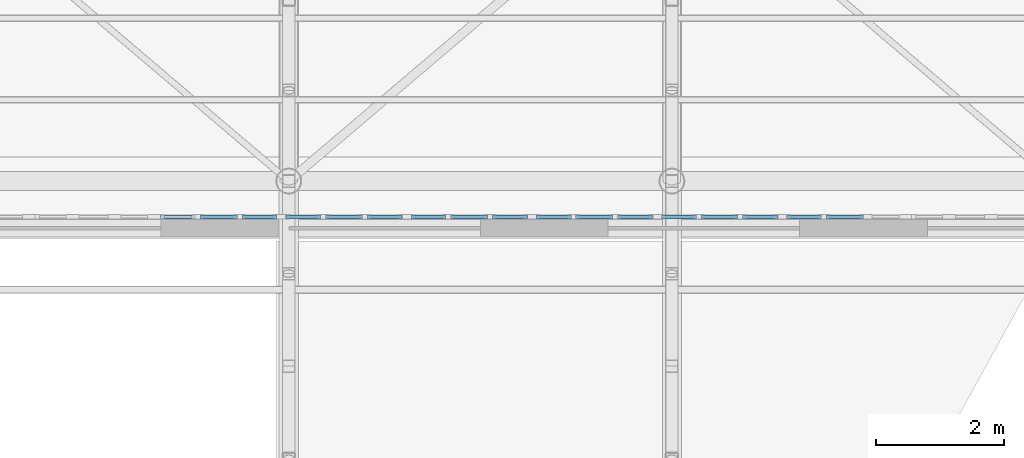
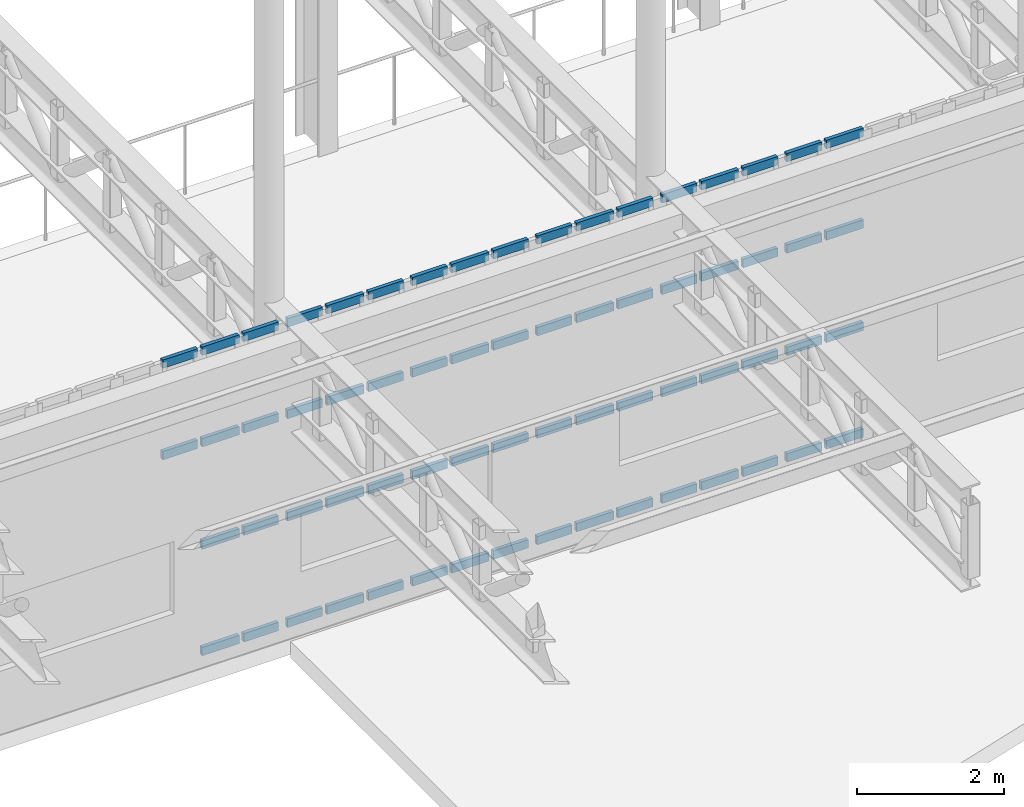
# One storey, part 46 of 75: 66 members, 6 elements without a shape of their own.
"""IFC4 building model written with IfcOpenShell, lengths in metres."""

from ifc_helpers import new_model, si_unit, direction, frame, origin, origin_2d, place, context, subcontext, project, spatial, rectangle, extrude, material, material_profile, profile_set, type_object, element, aggregate, save


model = new_model("IFC4")

# Units and contexts
model_context = context("Model", 3, precision=1e-05, world=origin(), true_north=direction((0.0, 1.0)))
body_context = subcontext(model_context, "Body", "Model", "MODEL_VIEW")
ifc_project = project(units=[si_unit("LENGTHUNIT", "METRE"), si_unit("AREAUNIT", "SQUARE_METRE"), si_unit("VOLUMEUNIT", "CUBIC_METRE"), si_unit("PLANEANGLEUNIT", "RADIAN"), si_unit("MASSUNIT", "GRAM", prefix="KILO")], contexts=[model_context])

# Site, building, storey
site_placement = place(None, origin())
site = spatial("IfcSite", under=ifc_project, at=site_placement, CompositionType="ELEMENT")
building_placement = place(site_placement, origin())
building = spatial("IfcBuilding", under=site, at=building_placement, Name="Kolvaren Corner Interchange", CompositionType="ELEMENT")
storey_placement = place(building_placement, frame((0.0, 0.0, 10.5)))
storey = spatial("IfcBuildingStorey", under=building, at=storey_placement, Name="L03", CompositionType="ELEMENT", Elevation=10.5)

# Curtain wall, members
ifc_material_1 = material(Name="Unitised Aluminium and Solar-Control Glass Curtain Wall", Category="aluminium")
curtain_wall_type = type_object("IfcCurtainWallType", Name="CW-V1-UPPER", PredefinedType="NOTDEFINED", material=ifc_material_1)
curtain_wall_1_placement = place(storey_placement, origin())
curtain_wall_1 = element("IfcCurtainWall", 1, at=curtain_wall_1_placement, inside=storey, type_object=curtain_wall_type, Name="South Portal Upper Curtain Wall Bay 12", PredefinedType="NOTDEFINED")
ifc_material_2 = material(Name="Anodised Aluminium Framing", Category="aluminium")
ifc_material_profile = material_profile(ifc_material_2, rectangle(XDim=0.06005859375, YDim=0.139892578125, at=origin_2d()), Name="ALU 60x140")
ifc_profile_set = profile_set([ifc_material_profile], Name="Anodised Aluminium Framing")
member_type = type_object("IfcMemberType", Name="TRN-ALU60x140", PredefinedType="USERDEFINED", material=ifc_profile_set)
member_1_placement = place(storey_placement, frame((93.9921875, 24.340087890625, 3.5), z_axis=(1.0, 0.0, 0.0), x_axis=(0.0, 1.0, 0.0)))
member_1 = element("IfcMember", 2, at=member_1_placement, type_object=member_type, Name="CW-048 transom 1.3", ObjectType="TRANSOM", PredefinedType="USERDEFINED", context=body_context, shape_type="SweptSolid", body=[
    extrude(rectangle(XDim=0.06005859375, YDim=0.139892578125, at=origin_2d()), origin(), (0.0, 0.0, 1.0), 0.548828125),
])
member_2_placement = place(storey_placement, frame((93.9921875, 24.340087890625, 5.02001953125), z_axis=(1.0, 0.0, 0.0), x_axis=(0.0, 1.0, 0.0)))
member_2 = element("IfcMember", 3, at=member_2_placement, type_object=member_type, Name="CW-048 transom 1.4", ObjectType="TRANSOM", PredefinedType="USERDEFINED", context=body_context, shape_type="SweptSolid", body=[
    extrude(rectangle(XDim=0.06005859375, YDim=0.139892578125, at=origin_2d()), origin(), (0.0, 0.0, 1.0), 0.548828125),
])
member_3_placement = place(storey_placement, frame((94.61083984375, 24.340087890625, 0.030029296875), z_axis=(1.0, 0.0, 0.0), x_axis=(0.0, 1.0, 0.0)))
member_3 = element("IfcMember", 4, at=member_3_placement, type_object=member_type, Name="CW-048 transom 2.1", ObjectType="TRANSOM", PredefinedType="USERDEFINED", context=body_context, shape_type="SweptSolid", body=[
    extrude(rectangle(XDim=0.06005859375, YDim=0.139892578125, at=origin_2d()), origin(), (0.0, 0.0, 1.0), 0.583740234375),
])
member_4_placement = place(storey_placement, frame((94.61083984375, 24.340087890625, 1.800048828125), z_axis=(1.0, 0.0, 0.0), x_axis=(0.0, 1.0, 0.0)))
member_4 = element("IfcMember", 5, at=member_4_placement, type_object=member_type, Name="CW-048 transom 2.2", ObjectType="TRANSOM", PredefinedType="USERDEFINED", context=body_context, shape_type="SweptSolid", body=[
    extrude(rectangle(XDim=0.06005859375, YDim=0.139892578125, at=origin_2d()), origin(), (0.0, 0.0, 1.0), 0.583740234375),
])
member_5_placement = place(storey_placement, frame((94.61083984375, 24.340087890625, 3.5), z_axis=(1.0, 0.0, 0.0), x_axis=(0.0, 1.0, 0.0)))
member_5 = element("IfcMember", 6, at=member_5_placement, type_object=member_type, Name="CW-048 transom 2.3", ObjectType="TRANSOM", PredefinedType="USERDEFINED", context=body_context, shape_type="SweptSolid", body=[
    extrude(rectangle(XDim=0.06005859375, YDim=0.139892578125, at=origin_2d()), origin(), (0.0, 0.0, 1.0), 0.583740234375),
])
member_6_placement = place(storey_placement, frame((94.61083984375, 24.340087890625, 5.02001953125), z_axis=(1.0, 0.0, 0.0), x_axis=(0.0, 1.0, 0.0)))
member_6 = element("IfcMember", 7, at=member_6_placement, type_object=member_type, Name="CW-048 transom 2.4", ObjectType="TRANSOM", PredefinedType="USERDEFINED", context=body_context, shape_type="SweptSolid", body=[
    extrude(rectangle(XDim=0.06005859375, YDim=0.139892578125, at=origin_2d()), origin(), (0.0, 0.0, 1.0), 0.583740234375),
])
member_7_placement = place(storey_placement, frame((95.2646484375, 24.340087890625, 0.030029296875), z_axis=(1.0, 0.0, 0.0), x_axis=(0.0, 1.0, 0.0)))
member_7 = element("IfcMember", 8, at=member_7_placement, type_object=member_type, Name="CW-048 transom 3.1", ObjectType="TRANSOM", PredefinedType="USERDEFINED", context=body_context, shape_type="SweptSolid", body=[
    extrude(rectangle(XDim=0.06005859375, YDim=0.139892578125, at=origin_2d()), origin(), (0.0, 0.0, 1.0), 0.548583984375),
])
member_8_placement = place(storey_placement, frame((95.2646484375, 24.340087890625, 1.800048828125), z_axis=(1.0, 0.0, 0.0), x_axis=(0.0, 1.0, 0.0)))
member_8 = element("IfcMember", 9, at=member_8_placement, type_object=member_type, Name="CW-048 transom 3.2", ObjectType="TRANSOM", PredefinedType="USERDEFINED", context=body_context, shape_type="SweptSolid", body=[
    extrude(rectangle(XDim=0.06005859375, YDim=0.139892578125, at=origin_2d()), origin(), (0.0, 0.0, 1.0), 0.548583984375),
])
member_9_placement = place(storey_placement, frame((95.2646484375, 24.340087890625, 3.5), z_axis=(1.0, 0.0, 0.0), x_axis=(0.0, 1.0, 0.0)))
member_9 = element("IfcMember", 10, at=member_9_placement, type_object=member_type, Name="CW-048 transom 3.3", ObjectType="TRANSOM", PredefinedType="USERDEFINED", context=body_context, shape_type="SweptSolid", body=[
    extrude(rectangle(XDim=0.06005859375, YDim=0.139892578125, at=origin_2d()), origin(), (0.0, 0.0, 1.0), 0.548583984375),
])
member_10_placement = place(storey_placement, frame((95.2646484375, 24.340087890625, 5.02001953125), z_axis=(1.0, 0.0, 0.0), x_axis=(0.0, 1.0, 0.0)))
member_10 = element("IfcMember", 11, at=member_10_placement, type_object=member_type, Name="CW-048 transom 3.4", ObjectType="TRANSOM", PredefinedType="USERDEFINED", context=body_context, shape_type="SweptSolid", body=[
    extrude(rectangle(XDim=0.06005859375, YDim=0.139892578125, at=origin_2d()), origin(), (0.0, 0.0, 1.0), 0.548583984375),
])
aggregate(curtain_wall_1, [member_1, member_2, member_3, member_4, member_5, member_6, member_7, member_8, member_9, member_10])

curtain_wall_2_placement = place(storey_placement, origin())
curtain_wall_2 = element("IfcCurtainWall", 12, at=curtain_wall_2_placement, inside=storey, type_object=curtain_wall_type, Name="South Portal Upper Curtain Wall Bay 13", PredefinedType="NOTDEFINED")
member_11_placement = place(storey_placement, frame((95.953369140625, 24.340087890625, 0.030029296875), z_axis=(1.0, 0.0, 0.0), x_axis=(0.0, 1.0, 0.0)))
member_11 = element("IfcMember", 13, at=member_11_placement, type_object=member_type, Name="CW-049 transom 1.1", ObjectType="TRANSOM", PredefinedType="USERDEFINED", context=body_context, shape_type="SweptSolid", body=[
    extrude(rectangle(XDim=0.06005859375, YDim=0.139892578125, at=origin_2d()), origin(), (0.0, 0.0, 1.0), 0.548583984375),
])
member_12_placement = place(storey_placement, frame((95.953369140625, 24.340087890625, 1.800048828125), z_axis=(1.0, 0.0, 0.0), x_axis=(0.0, 1.0, 0.0)))
member_12 = element("IfcMember", 14, at=member_12_placement, type_object=member_type, Name="CW-049 transom 1.2", ObjectType="TRANSOM", PredefinedType="USERDEFINED", context=body_context, shape_type="SweptSolid", body=[
    extrude(rectangle(XDim=0.06005859375, YDim=0.139892578125, at=origin_2d()), origin(), (0.0, 0.0, 1.0), 0.548583984375),
])
member_13_placement = place(storey_placement, frame((95.953369140625, 24.340087890625, 3.5), z_axis=(1.0, 0.0, 0.0), x_axis=(0.0, 1.0, 0.0)))
member_13 = element("IfcMember", 15, at=member_13_placement, type_object=member_type, Name="CW-049 transom 1.3", ObjectType="TRANSOM", PredefinedType="USERDEFINED", context=body_context, shape_type="SweptSolid", body=[
    extrude(rectangle(XDim=0.06005859375, YDim=0.139892578125, at=origin_2d()), origin(), (0.0, 0.0, 1.0), 0.548583984375),
])
member_14_placement = place(storey_placement, frame((95.953369140625, 24.340087890625, 5.02001953125), z_axis=(1.0, 0.0, 0.0), x_axis=(0.0, 1.0, 0.0)))
member_14 = element("IfcMember", 16, at=member_14_placement, type_object=member_type, Name="CW-049 transom 1.4", ObjectType="TRANSOM", PredefinedType="USERDEFINED", context=body_context, shape_type="SweptSolid", body=[
    extrude(rectangle(XDim=0.06005859375, YDim=0.139892578125, at=origin_2d()), origin(), (0.0, 0.0, 1.0), 0.548583984375),
])
member_15_placement = place(storey_placement, frame((96.572021484375, 24.340087890625, 0.030029296875), z_axis=(1.0, 0.0, 0.0), x_axis=(0.0, 1.0, 0.0)))
member_15 = element("IfcMember", 17, at=member_15_placement, type_object=member_type, Name="CW-049 transom 2.1", ObjectType="TRANSOM", PredefinedType="USERDEFINED", context=body_context, shape_type="SweptSolid", body=[
    extrude(rectangle(XDim=0.06005859375, YDim=0.139892578125, at=origin_2d()), origin(), (0.0, 0.0, 1.0), 0.583740234375),
])
member_16_placement = place(storey_placement, frame((96.572021484375, 24.340087890625, 1.800048828125), z_axis=(1.0, 0.0, 0.0), x_axis=(0.0, 1.0, 0.0)))
member_16 = element("IfcMember", 18, at=member_16_placement, type_object=member_type, Name="CW-049 transom 2.2", ObjectType="TRANSOM", PredefinedType="USERDEFINED", context=body_context, shape_type="SweptSolid", body=[
    extrude(rectangle(XDim=0.06005859375, YDim=0.139892578125, at=origin_2d()), origin(), (0.0, 0.0, 1.0), 0.583740234375),
])
member_17_placement = place(storey_placement, frame((96.572021484375, 24.340087890625, 3.5), z_axis=(1.0, 0.0, 0.0), x_axis=(0.0, 1.0, 0.0)))
member_17 = element("IfcMember", 19, at=member_17_placement, type_object=member_type, Name="CW-049 transom 2.3", ObjectType="TRANSOM", PredefinedType="USERDEFINED", context=body_context, shape_type="SweptSolid", body=[
    extrude(rectangle(XDim=0.06005859375, YDim=0.139892578125, at=origin_2d()), origin(), (0.0, 0.0, 1.0), 0.583740234375),
])
member_18_placement = place(storey_placement, frame((96.572021484375, 24.340087890625, 5.02001953125), z_axis=(1.0, 0.0, 0.0), x_axis=(0.0, 1.0, 0.0)))
member_18 = element("IfcMember", 20, at=member_18_placement, type_object=member_type, Name="CW-049 transom 2.4", ObjectType="TRANSOM", PredefinedType="USERDEFINED", context=body_context, shape_type="SweptSolid", body=[
    extrude(rectangle(XDim=0.06005859375, YDim=0.139892578125, at=origin_2d()), origin(), (0.0, 0.0, 1.0), 0.583740234375),
])
member_19_placement = place(storey_placement, frame((97.2255859375, 24.340087890625, 0.030029296875), z_axis=(1.0, 0.0, 0.0), x_axis=(0.0, 1.0, 0.0)))
member_19 = element("IfcMember", 21, at=member_19_placement, type_object=member_type, Name="CW-049 transom 3.1", ObjectType="TRANSOM", PredefinedType="USERDEFINED", context=body_context, shape_type="SweptSolid", body=[
    extrude(rectangle(XDim=0.06005859375, YDim=0.139892578125, at=origin_2d()), origin(), (0.0, 0.0, 1.0), 0.548828125),
])
member_20_placement = place(storey_placement, frame((97.2255859375, 24.340087890625, 1.800048828125), z_axis=(1.0, 0.0, 0.0), x_axis=(0.0, 1.0, 0.0)))
member_20 = element("IfcMember", 22, at=member_20_placement, type_object=member_type, Name="CW-049 transom 3.2", ObjectType="TRANSOM", PredefinedType="USERDEFINED", context=body_context, shape_type="SweptSolid", body=[
    extrude(rectangle(XDim=0.06005859375, YDim=0.139892578125, at=origin_2d()), origin(), (0.0, 0.0, 1.0), 0.548828125),
])
member_21_placement = place(storey_placement, frame((97.2255859375, 24.340087890625, 3.5), z_axis=(1.0, 0.0, 0.0), x_axis=(0.0, 1.0, 0.0)))
member_21 = element("IfcMember", 23, at=member_21_placement, type_object=member_type, Name="CW-049 transom 3.3", ObjectType="TRANSOM", PredefinedType="USERDEFINED", context=body_context, shape_type="SweptSolid", body=[
    extrude(rectangle(XDim=0.06005859375, YDim=0.139892578125, at=origin_2d()), origin(), (0.0, 0.0, 1.0), 0.548828125),
])
member_22_placement = place(storey_placement, frame((97.2255859375, 24.340087890625, 5.02001953125), z_axis=(1.0, 0.0, 0.0), x_axis=(0.0, 1.0, 0.0)))
member_22 = element("IfcMember", 24, at=member_22_placement, type_object=member_type, Name="CW-049 transom 3.4", ObjectType="TRANSOM", PredefinedType="USERDEFINED", context=body_context, shape_type="SweptSolid", body=[
    extrude(rectangle(XDim=0.06005859375, YDim=0.139892578125, at=origin_2d()), origin(), (0.0, 0.0, 1.0), 0.548828125),
])
aggregate(curtain_wall_2, [member_11, member_12, member_13, member_14, member_15, member_16, member_17, member_18, member_19, member_20, member_21, member_22])

curtain_wall_3_placement = place(storey_placement, origin())
curtain_wall_3 = element("IfcCurtainWall", 25, at=curtain_wall_3_placement, inside=storey, type_object=curtain_wall_type, Name="South Portal Upper Curtain Wall Bay 14", PredefinedType="NOTDEFINED")
member_23_placement = place(storey_placement, frame((97.914306640625, 24.340087890625, 0.030029296875), z_axis=(1.0, 0.0, 0.0), x_axis=(0.0, 1.0, 0.0)))
member_23 = element("IfcMember", 26, at=member_23_placement, type_object=member_type, Name="CW-050 transom 1.1", ObjectType="TRANSOM", PredefinedType="USERDEFINED", context=body_context, shape_type="SweptSolid", body=[
    extrude(rectangle(XDim=0.06005859375, YDim=0.139892578125, at=origin_2d()), origin(), (0.0, 0.0, 1.0), 0.548828125),
])
member_24_placement = place(storey_placement, frame((97.914306640625, 24.340087890625, 1.800048828125), z_axis=(1.0, 0.0, 0.0), x_axis=(0.0, 1.0, 0.0)))
member_24 = element("IfcMember", 27, at=member_24_placement, type_object=member_type, Name="CW-050 transom 1.2", ObjectType="TRANSOM", PredefinedType="USERDEFINED", context=body_context, shape_type="SweptSolid", body=[
    extrude(rectangle(XDim=0.06005859375, YDim=0.139892578125, at=origin_2d()), origin(), (0.0, 0.0, 1.0), 0.548828125),
])
member_25_placement = place(storey_placement, frame((97.914306640625, 24.340087890625, 3.5), z_axis=(1.0, 0.0, 0.0), x_axis=(0.0, 1.0, 0.0)))
member_25 = element("IfcMember", 28, at=member_25_placement, type_object=member_type, Name="CW-050 transom 1.3", ObjectType="TRANSOM", PredefinedType="USERDEFINED", context=body_context, shape_type="SweptSolid", body=[
    extrude(rectangle(XDim=0.06005859375, YDim=0.139892578125, at=origin_2d()), origin(), (0.0, 0.0, 1.0), 0.548828125),
])
member_26_placement = place(storey_placement, frame((97.914306640625, 24.340087890625, 5.02001953125), z_axis=(1.0, 0.0, 0.0), x_axis=(0.0, 1.0, 0.0)))
member_26 = element("IfcMember", 29, at=member_26_placement, type_object=member_type, Name="CW-050 transom 1.4", ObjectType="TRANSOM", PredefinedType="USERDEFINED", context=body_context, shape_type="SweptSolid", body=[
    extrude(rectangle(XDim=0.06005859375, YDim=0.139892578125, at=origin_2d()), origin(), (0.0, 0.0, 1.0), 0.548828125),
])
member_27_placement = place(storey_placement, frame((98.533203125, 24.340087890625, 0.030029296875), z_axis=(1.0, 0.0, 0.0), x_axis=(0.0, 1.0, 0.0)))
member_27 = element("IfcMember", 30, at=member_27_placement, type_object=member_type, Name="CW-050 transom 2.1", ObjectType="TRANSOM", PredefinedType="USERDEFINED", context=body_context, shape_type="SweptSolid", body=[
    extrude(rectangle(XDim=0.06005859375, YDim=0.139892578125, at=origin_2d()), origin(), (0.0, 0.0, 1.0), 0.583740234375),
])
member_28_placement = place(storey_placement, frame((98.533203125, 24.340087890625, 1.800048828125), z_axis=(1.0, 0.0, 0.0), x_axis=(0.0, 1.0, 0.0)))
member_28 = element("IfcMember", 31, at=member_28_placement, type_object=member_type, Name="CW-050 transom 2.2", ObjectType="TRANSOM", PredefinedType="USERDEFINED", context=body_context, shape_type="SweptSolid", body=[
    extrude(rectangle(XDim=0.06005859375, YDim=0.139892578125, at=origin_2d()), origin(), (0.0, 0.0, 1.0), 0.583740234375),
])
member_29_placement = place(storey_placement, frame((98.533203125, 24.340087890625, 3.5), z_axis=(1.0, 0.0, 0.0), x_axis=(0.0, 1.0, 0.0)))
member_29 = element("IfcMember", 32, at=member_29_placement, type_object=member_type, Name="CW-050 transom 2.3", ObjectType="TRANSOM", PredefinedType="USERDEFINED", context=body_context, shape_type="SweptSolid", body=[
    extrude(rectangle(XDim=0.06005859375, YDim=0.139892578125, at=origin_2d()), origin(), (0.0, 0.0, 1.0), 0.583740234375),
])
member_30_placement = place(storey_placement, frame((98.533203125, 24.340087890625, 5.02001953125), z_axis=(1.0, 0.0, 0.0), x_axis=(0.0, 1.0, 0.0)))
member_30 = element("IfcMember", 33, at=member_30_placement, type_object=member_type, Name="CW-050 transom 2.4", ObjectType="TRANSOM", PredefinedType="USERDEFINED", context=body_context, shape_type="SweptSolid", body=[
    extrude(rectangle(XDim=0.06005859375, YDim=0.139892578125, at=origin_2d()), origin(), (0.0, 0.0, 1.0), 0.583740234375),
])
member_31_placement = place(storey_placement, frame((99.186767578125, 24.340087890625, 0.030029296875), z_axis=(1.0, 0.0, 0.0), x_axis=(0.0, 1.0, 0.0)))
member_31 = element("IfcMember", 34, at=member_31_placement, type_object=member_type, Name="CW-050 transom 3.1", ObjectType="TRANSOM", PredefinedType="USERDEFINED", context=body_context, shape_type="SweptSolid", body=[
    extrude(rectangle(XDim=0.06005859375, YDim=0.139892578125, at=origin_2d()), origin(), (0.0, 0.0, 1.0), 0.548828125),
])
member_32_placement = place(storey_placement, frame((99.186767578125, 24.340087890625, 1.800048828125), z_axis=(1.0, 0.0, 0.0), x_axis=(0.0, 1.0, 0.0)))
member_32 = element("IfcMember", 35, at=member_32_placement, type_object=member_type, Name="CW-050 transom 3.2", ObjectType="TRANSOM", PredefinedType="USERDEFINED", context=body_context, shape_type="SweptSolid", body=[
    extrude(rectangle(XDim=0.06005859375, YDim=0.139892578125, at=origin_2d()), origin(), (0.0, 0.0, 1.0), 0.548828125),
])
member_33_placement = place(storey_placement, frame((99.186767578125, 24.340087890625, 3.5), z_axis=(1.0, 0.0, 0.0), x_axis=(0.0, 1.0, 0.0)))
member_33 = element("IfcMember", 36, at=member_33_placement, type_object=member_type, Name="CW-050 transom 3.3", ObjectType="TRANSOM", PredefinedType="USERDEFINED", context=body_context, shape_type="SweptSolid", body=[
    extrude(rectangle(XDim=0.06005859375, YDim=0.139892578125, at=origin_2d()), origin(), (0.0, 0.0, 1.0), 0.548828125),
])
member_34_placement = place(storey_placement, frame((99.186767578125, 24.340087890625, 5.02001953125), z_axis=(1.0, 0.0, 0.0), x_axis=(0.0, 1.0, 0.0)))
member_34 = element("IfcMember", 37, at=member_34_placement, type_object=member_type, Name="CW-050 transom 3.4", ObjectType="TRANSOM", PredefinedType="USERDEFINED", context=body_context, shape_type="SweptSolid", body=[
    extrude(rectangle(XDim=0.06005859375, YDim=0.139892578125, at=origin_2d()), origin(), (0.0, 0.0, 1.0), 0.548828125),
])
aggregate(curtain_wall_3, [member_23, member_24, member_25, member_26, member_27, member_28, member_29, member_30, member_31, member_32, member_33, member_34])

curtain_wall_4_placement = place(storey_placement, origin())
curtain_wall_4 = element("IfcCurtainWall", 38, at=curtain_wall_4_placement, inside=storey, type_object=curtain_wall_type, Name="South Portal Upper Curtain Wall Bay 15", PredefinedType="NOTDEFINED")
member_35_placement = place(storey_placement, frame((99.87548828125, 24.340087890625, 0.030029296875), z_axis=(1.0, 0.0, 0.0), x_axis=(0.0, 1.0, 0.0)))
member_35 = element("IfcMember", 39, at=member_35_placement, type_object=member_type, Name="CW-051 transom 1.1", ObjectType="TRANSOM", PredefinedType="USERDEFINED", context=body_context, shape_type="SweptSolid", body=[
    extrude(rectangle(XDim=0.06005859375, YDim=0.139892578125, at=origin_2d()), origin(), (0.0, 0.0, 1.0), 0.548828125),
])
member_36_placement = place(storey_placement, frame((99.87548828125, 24.340087890625, 1.800048828125), z_axis=(1.0, 0.0, 0.0), x_axis=(0.0, 1.0, 0.0)))
member_36 = element("IfcMember", 40, at=member_36_placement, type_object=member_type, Name="CW-051 transom 1.2", ObjectType="TRANSOM", PredefinedType="USERDEFINED", context=body_context, shape_type="SweptSolid", body=[
    extrude(rectangle(XDim=0.06005859375, YDim=0.139892578125, at=origin_2d()), origin(), (0.0, 0.0, 1.0), 0.548828125),
])
member_37_placement = place(storey_placement, frame((99.87548828125, 24.340087890625, 3.5), z_axis=(1.0, 0.0, 0.0), x_axis=(0.0, 1.0, 0.0)))
member_37 = element("IfcMember", 41, at=member_37_placement, type_object=member_type, Name="CW-051 transom 1.3", ObjectType="TRANSOM", PredefinedType="USERDEFINED", context=body_context, shape_type="SweptSolid", body=[
    extrude(rectangle(XDim=0.06005859375, YDim=0.139892578125, at=origin_2d()), origin(), (0.0, 0.0, 1.0), 0.548828125),
])
member_38_placement = place(storey_placement, frame((99.87548828125, 24.340087890625, 5.02001953125), z_axis=(1.0, 0.0, 0.0), x_axis=(0.0, 1.0, 0.0)))
member_38 = element("IfcMember", 42, at=member_38_placement, type_object=member_type, Name="CW-051 transom 1.4", ObjectType="TRANSOM", PredefinedType="USERDEFINED", context=body_context, shape_type="SweptSolid", body=[
    extrude(rectangle(XDim=0.06005859375, YDim=0.139892578125, at=origin_2d()), origin(), (0.0, 0.0, 1.0), 0.548828125),
])
member_39_placement = place(storey_placement, frame((100.494384765625, 24.340087890625, 0.030029296875), z_axis=(1.0, 0.0, 0.0), x_axis=(0.0, 1.0, 0.0)))
member_39 = element("IfcMember", 43, at=member_39_placement, type_object=member_type, Name="CW-051 transom 2.1", ObjectType="TRANSOM", PredefinedType="USERDEFINED", context=body_context, shape_type="SweptSolid", body=[
    extrude(rectangle(XDim=0.06005859375, YDim=0.139892578125, at=origin_2d()), origin(), (0.0, 0.0, 1.0), 0.58349609375),
])
member_40_placement = place(storey_placement, frame((100.494384765625, 24.340087890625, 1.800048828125), z_axis=(1.0, 0.0, 0.0), x_axis=(0.0, 1.0, 0.0)))
member_40 = element("IfcMember", 44, at=member_40_placement, type_object=member_type, Name="CW-051 transom 2.2", ObjectType="TRANSOM", PredefinedType="USERDEFINED", context=body_context, shape_type="SweptSolid", body=[
    extrude(rectangle(XDim=0.06005859375, YDim=0.139892578125, at=origin_2d()), origin(), (0.0, 0.0, 1.0), 0.58349609375),
])
member_41_placement = place(storey_placement, frame((100.494384765625, 24.340087890625, 3.5), z_axis=(1.0, 0.0, 0.0), x_axis=(0.0, 1.0, 0.0)))
member_41 = element("IfcMember", 45, at=member_41_placement, type_object=member_type, Name="CW-051 transom 2.3", ObjectType="TRANSOM", PredefinedType="USERDEFINED", context=body_context, shape_type="SweptSolid", body=[
    extrude(rectangle(XDim=0.06005859375, YDim=0.139892578125, at=origin_2d()), origin(), (0.0, 0.0, 1.0), 0.58349609375),
])
member_42_placement = place(storey_placement, frame((100.494384765625, 24.340087890625, 5.02001953125), z_axis=(1.0, 0.0, 0.0), x_axis=(0.0, 1.0, 0.0)))
member_42 = element("IfcMember", 46, at=member_42_placement, type_object=member_type, Name="CW-051 transom 2.4", ObjectType="TRANSOM", PredefinedType="USERDEFINED", context=body_context, shape_type="SweptSolid", body=[
    extrude(rectangle(XDim=0.06005859375, YDim=0.139892578125, at=origin_2d()), origin(), (0.0, 0.0, 1.0), 0.58349609375),
])
member_43_placement = place(storey_placement, frame((101.14794921875, 24.340087890625, 0.030029296875), z_axis=(1.0, 0.0, 0.0), x_axis=(0.0, 1.0, 0.0)))
member_43 = element("IfcMember", 47, at=member_43_placement, type_object=member_type, Name="CW-051 transom 3.1", ObjectType="TRANSOM", PredefinedType="USERDEFINED", context=body_context, shape_type="SweptSolid", body=[
    extrude(rectangle(XDim=0.06005859375, YDim=0.139892578125, at=origin_2d()), origin(), (0.0, 0.0, 1.0), 0.548828125),
])
member_44_placement = place(storey_placement, frame((101.14794921875, 24.340087890625, 1.800048828125), z_axis=(1.0, 0.0, 0.0), x_axis=(0.0, 1.0, 0.0)))
member_44 = element("IfcMember", 48, at=member_44_placement, type_object=member_type, Name="CW-051 transom 3.2", ObjectType="TRANSOM", PredefinedType="USERDEFINED", context=body_context, shape_type="SweptSolid", body=[
    extrude(rectangle(XDim=0.06005859375, YDim=0.139892578125, at=origin_2d()), origin(), (0.0, 0.0, 1.0), 0.548828125),
])
member_45_placement = place(storey_placement, frame((101.14794921875, 24.340087890625, 3.5), z_axis=(1.0, 0.0, 0.0), x_axis=(0.0, 1.0, 0.0)))
member_45 = element("IfcMember", 49, at=member_45_placement, type_object=member_type, Name="CW-051 transom 3.3", ObjectType="TRANSOM", PredefinedType="USERDEFINED", context=body_context, shape_type="SweptSolid", body=[
    extrude(rectangle(XDim=0.06005859375, YDim=0.139892578125, at=origin_2d()), origin(), (0.0, 0.0, 1.0), 0.548828125),
])
member_46_placement = place(storey_placement, frame((101.14794921875, 24.340087890625, 5.02001953125), z_axis=(1.0, 0.0, 0.0), x_axis=(0.0, 1.0, 0.0)))
member_46 = element("IfcMember", 50, at=member_46_placement, type_object=member_type, Name="CW-051 transom 3.4", ObjectType="TRANSOM", PredefinedType="USERDEFINED", context=body_context, shape_type="SweptSolid", body=[
    extrude(rectangle(XDim=0.06005859375, YDim=0.139892578125, at=origin_2d()), origin(), (0.0, 0.0, 1.0), 0.548828125),
])
aggregate(curtain_wall_4, [member_35, member_36, member_37, member_38, member_39, member_40, member_41, member_42, member_43, member_44, member_45, member_46])

curtain_wall_5_placement = place(storey_placement, origin())
curtain_wall_5 = element("IfcCurtainWall", 51, at=curtain_wall_5_placement, inside=storey, type_object=curtain_wall_type, Name="South Portal Upper Curtain Wall Bay 16", PredefinedType="NOTDEFINED")
member_47_placement = place(storey_placement, frame((101.836669921875, 24.340087890625, 0.030029296875), z_axis=(1.0, 0.0, 0.0), x_axis=(0.0, 1.0, 0.0)))
member_47 = element("IfcMember", 52, at=member_47_placement, type_object=member_type, Name="CW-052 transom 1.1", ObjectType="TRANSOM", PredefinedType="USERDEFINED", context=body_context, shape_type="SweptSolid", body=[
    extrude(rectangle(XDim=0.06005859375, YDim=0.139892578125, at=origin_2d()), origin(), (0.0, 0.0, 1.0), 0.548828125),
])
member_48_placement = place(storey_placement, frame((101.836669921875, 24.340087890625, 1.800048828125), z_axis=(1.0, 0.0, 0.0), x_axis=(0.0, 1.0, 0.0)))
member_48 = element("IfcMember", 53, at=member_48_placement, type_object=member_type, Name="CW-052 transom 1.2", ObjectType="TRANSOM", PredefinedType="USERDEFINED", context=body_context, shape_type="SweptSolid", body=[
    extrude(rectangle(XDim=0.06005859375, YDim=0.139892578125, at=origin_2d()), origin(), (0.0, 0.0, 1.0), 0.548828125),
])
member_49_placement = place(storey_placement, frame((101.836669921875, 24.340087890625, 3.5), z_axis=(1.0, 0.0, 0.0), x_axis=(0.0, 1.0, 0.0)))
member_49 = element("IfcMember", 54, at=member_49_placement, type_object=member_type, Name="CW-052 transom 1.3", ObjectType="TRANSOM", PredefinedType="USERDEFINED", context=body_context, shape_type="SweptSolid", body=[
    extrude(rectangle(XDim=0.06005859375, YDim=0.139892578125, at=origin_2d()), origin(), (0.0, 0.0, 1.0), 0.548828125),
])
member_50_placement = place(storey_placement, frame((101.836669921875, 24.340087890625, 5.02001953125), z_axis=(1.0, 0.0, 0.0), x_axis=(0.0, 1.0, 0.0)))
member_50 = element("IfcMember", 55, at=member_50_placement, type_object=member_type, Name="CW-052 transom 1.4", ObjectType="TRANSOM", PredefinedType="USERDEFINED", context=body_context, shape_type="SweptSolid", body=[
    extrude(rectangle(XDim=0.06005859375, YDim=0.139892578125, at=origin_2d()), origin(), (0.0, 0.0, 1.0), 0.548828125),
])
member_51_placement = place(storey_placement, frame((102.455322265625, 24.340087890625, 0.030029296875), z_axis=(1.0, 0.0, 0.0), x_axis=(0.0, 1.0, 0.0)))
member_51 = element("IfcMember", 56, at=member_51_placement, type_object=member_type, Name="CW-052 transom 2.1", ObjectType="TRANSOM", PredefinedType="USERDEFINED", context=body_context, shape_type="SweptSolid", body=[
    extrude(rectangle(XDim=0.06005859375, YDim=0.139892578125, at=origin_2d()), origin(), (0.0, 0.0, 1.0), 0.583740234375),
])
member_52_placement = place(storey_placement, frame((102.455322265625, 24.340087890625, 1.800048828125), z_axis=(1.0, 0.0, 0.0), x_axis=(0.0, 1.0, 0.0)))
member_52 = element("IfcMember", 57, at=member_52_placement, type_object=member_type, Name="CW-052 transom 2.2", ObjectType="TRANSOM", PredefinedType="USERDEFINED", context=body_context, shape_type="SweptSolid", body=[
    extrude(rectangle(XDim=0.06005859375, YDim=0.139892578125, at=origin_2d()), origin(), (0.0, 0.0, 1.0), 0.583740234375),
])
member_53_placement = place(storey_placement, frame((102.455322265625, 24.340087890625, 3.5), z_axis=(1.0, 0.0, 0.0), x_axis=(0.0, 1.0, 0.0)))
member_53 = element("IfcMember", 58, at=member_53_placement, type_object=member_type, Name="CW-052 transom 2.3", ObjectType="TRANSOM", PredefinedType="USERDEFINED", context=body_context, shape_type="SweptSolid", body=[
    extrude(rectangle(XDim=0.06005859375, YDim=0.139892578125, at=origin_2d()), origin(), (0.0, 0.0, 1.0), 0.583740234375),
])
member_54_placement = place(storey_placement, frame((102.455322265625, 24.340087890625, 5.02001953125), z_axis=(1.0, 0.0, 0.0), x_axis=(0.0, 1.0, 0.0)))
member_54 = element("IfcMember", 59, at=member_54_placement, type_object=member_type, Name="CW-052 transom 2.4", ObjectType="TRANSOM", PredefinedType="USERDEFINED", context=body_context, shape_type="SweptSolid", body=[
    extrude(rectangle(XDim=0.06005859375, YDim=0.139892578125, at=origin_2d()), origin(), (0.0, 0.0, 1.0), 0.583740234375),
])
member_55_placement = place(storey_placement, frame((103.109130859375, 24.340087890625, 0.030029296875), z_axis=(1.0, 0.0, 0.0), x_axis=(0.0, 1.0, 0.0)))
member_55 = element("IfcMember", 60, at=member_55_placement, type_object=member_type, Name="CW-052 transom 3.1", ObjectType="TRANSOM", PredefinedType="USERDEFINED", context=body_context, shape_type="SweptSolid", body=[
    extrude(rectangle(XDim=0.06005859375, YDim=0.139892578125, at=origin_2d()), origin(), (0.0, 0.0, 1.0), 0.548583984375),
])
member_56_placement = place(storey_placement, frame((103.109130859375, 24.340087890625, 1.800048828125), z_axis=(1.0, 0.0, 0.0), x_axis=(0.0, 1.0, 0.0)))
member_56 = element("IfcMember", 61, at=member_56_placement, type_object=member_type, Name="CW-052 transom 3.2", ObjectType="TRANSOM", PredefinedType="USERDEFINED", context=body_context, shape_type="SweptSolid", body=[
    extrude(rectangle(XDim=0.06005859375, YDim=0.139892578125, at=origin_2d()), origin(), (0.0, 0.0, 1.0), 0.548583984375),
])
member_57_placement = place(storey_placement, frame((103.109130859375, 24.340087890625, 3.5), z_axis=(1.0, 0.0, 0.0), x_axis=(0.0, 1.0, 0.0)))
member_57 = element("IfcMember", 62, at=member_57_placement, type_object=member_type, Name="CW-052 transom 3.3", ObjectType="TRANSOM", PredefinedType="USERDEFINED", context=body_context, shape_type="SweptSolid", body=[
    extrude(rectangle(XDim=0.06005859375, YDim=0.139892578125, at=origin_2d()), origin(), (0.0, 0.0, 1.0), 0.548583984375),
])
member_58_placement = place(storey_placement, frame((103.109130859375, 24.340087890625, 5.02001953125), z_axis=(1.0, 0.0, 0.0), x_axis=(0.0, 1.0, 0.0)))
member_58 = element("IfcMember", 63, at=member_58_placement, type_object=member_type, Name="CW-052 transom 3.4", ObjectType="TRANSOM", PredefinedType="USERDEFINED", context=body_context, shape_type="SweptSolid", body=[
    extrude(rectangle(XDim=0.06005859375, YDim=0.139892578125, at=origin_2d()), origin(), (0.0, 0.0, 1.0), 0.548583984375),
])
aggregate(curtain_wall_5, [member_47, member_48, member_49, member_50, member_51, member_52, member_53, member_54, member_55, member_56, member_57, member_58])

curtain_wall_6_placement = place(storey_placement, origin())
curtain_wall_6 = element("IfcCurtainWall", 64, at=curtain_wall_6_placement, inside=storey, type_object=curtain_wall_type, Name="South Portal Upper Curtain Wall Bay 17", PredefinedType="NOTDEFINED")
member_59_placement = place(storey_placement, frame((103.7978515625, 24.340087890625, 0.030029296875), z_axis=(1.0, 0.0, 0.0), x_axis=(0.0, 1.0, 0.0)))
member_59 = element("IfcMember", 65, at=member_59_placement, type_object=member_type, Name="CW-053 transom 1.1", ObjectType="TRANSOM", PredefinedType="USERDEFINED", context=body_context, shape_type="SweptSolid", body=[
    extrude(rectangle(XDim=0.06005859375, YDim=0.139892578125, at=origin_2d()), origin(), (0.0, 0.0, 1.0), 0.548583984375),
])
member_60_placement = place(storey_placement, frame((103.7978515625, 24.340087890625, 1.800048828125), z_axis=(1.0, 0.0, 0.0), x_axis=(0.0, 1.0, 0.0)))
member_60 = element("IfcMember", 66, at=member_60_placement, type_object=member_type, Name="CW-053 transom 1.2", ObjectType="TRANSOM", PredefinedType="USERDEFINED", context=body_context, shape_type="SweptSolid", body=[
    extrude(rectangle(XDim=0.06005859375, YDim=0.139892578125, at=origin_2d()), origin(), (0.0, 0.0, 1.0), 0.548583984375),
])
member_61_placement = place(storey_placement, frame((103.7978515625, 24.340087890625, 3.5), z_axis=(1.0, 0.0, 0.0), x_axis=(0.0, 1.0, 0.0)))
member_61 = element("IfcMember", 67, at=member_61_placement, type_object=member_type, Name="CW-053 transom 1.3", ObjectType="TRANSOM", PredefinedType="USERDEFINED", context=body_context, shape_type="SweptSolid", body=[
    extrude(rectangle(XDim=0.06005859375, YDim=0.139892578125, at=origin_2d()), origin(), (0.0, 0.0, 1.0), 0.548583984375),
])
member_62_placement = place(storey_placement, frame((103.7978515625, 24.340087890625, 5.02001953125), z_axis=(1.0, 0.0, 0.0), x_axis=(0.0, 1.0, 0.0)))
member_62 = element("IfcMember", 68, at=member_62_placement, type_object=member_type, Name="CW-053 transom 1.4", ObjectType="TRANSOM", PredefinedType="USERDEFINED", context=body_context, shape_type="SweptSolid", body=[
    extrude(rectangle(XDim=0.06005859375, YDim=0.139892578125, at=origin_2d()), origin(), (0.0, 0.0, 1.0), 0.548583984375),
])
member_63_placement = place(storey_placement, frame((104.41650390625, 24.340087890625, 0.030029296875), z_axis=(1.0, 0.0, 0.0), x_axis=(0.0, 1.0, 0.0)))
member_63 = element("IfcMember", 69, at=member_63_placement, type_object=member_type, Name="CW-053 transom 2.1", ObjectType="TRANSOM", PredefinedType="USERDEFINED", context=body_context, shape_type="SweptSolid", body=[
    extrude(rectangle(XDim=0.06005859375, YDim=0.139892578125, at=origin_2d()), origin(), (0.0, 0.0, 1.0), 0.583740234375),
])
member_64_placement = place(storey_placement, frame((104.41650390625, 24.340087890625, 1.800048828125), z_axis=(1.0, 0.0, 0.0), x_axis=(0.0, 1.0, 0.0)))
member_64 = element("IfcMember", 70, at=member_64_placement, type_object=member_type, Name="CW-053 transom 2.2", ObjectType="TRANSOM", PredefinedType="USERDEFINED", context=body_context, shape_type="SweptSolid", body=[
    extrude(rectangle(XDim=0.06005859375, YDim=0.139892578125, at=origin_2d()), origin(), (0.0, 0.0, 1.0), 0.583740234375),
])
member_65_placement = place(storey_placement, frame((104.41650390625, 24.340087890625, 3.5), z_axis=(1.0, 0.0, 0.0), x_axis=(0.0, 1.0, 0.0)))
member_65 = element("IfcMember", 71, at=member_65_placement, type_object=member_type, Name="CW-053 transom 2.3", ObjectType="TRANSOM", PredefinedType="USERDEFINED", context=body_context, shape_type="SweptSolid", body=[
    extrude(rectangle(XDim=0.06005859375, YDim=0.139892578125, at=origin_2d()), origin(), (0.0, 0.0, 1.0), 0.583740234375),
])
member_66_placement = place(storey_placement, frame((104.41650390625, 24.340087890625, 5.02001953125), z_axis=(1.0, 0.0, 0.0), x_axis=(0.0, 1.0, 0.0)))
member_66 = element("IfcMember", 72, at=member_66_placement, type_object=member_type, Name="CW-053 transom 2.4", ObjectType="TRANSOM", PredefinedType="USERDEFINED", context=body_context, shape_type="SweptSolid", body=[
    extrude(rectangle(XDim=0.06005859375, YDim=0.139892578125, at=origin_2d()), origin(), (0.0, 0.0, 1.0), 0.583740234375),
])
aggregate(curtain_wall_6, [member_59, member_60, member_61, member_62, member_63, member_64, member_65, member_66])

save(model, "model.ifc")
